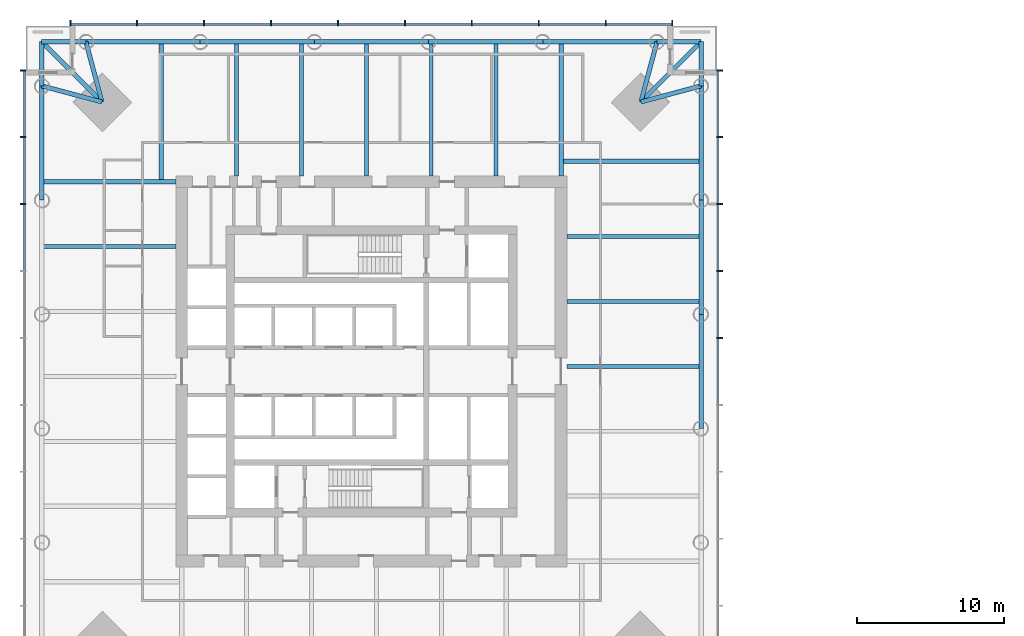
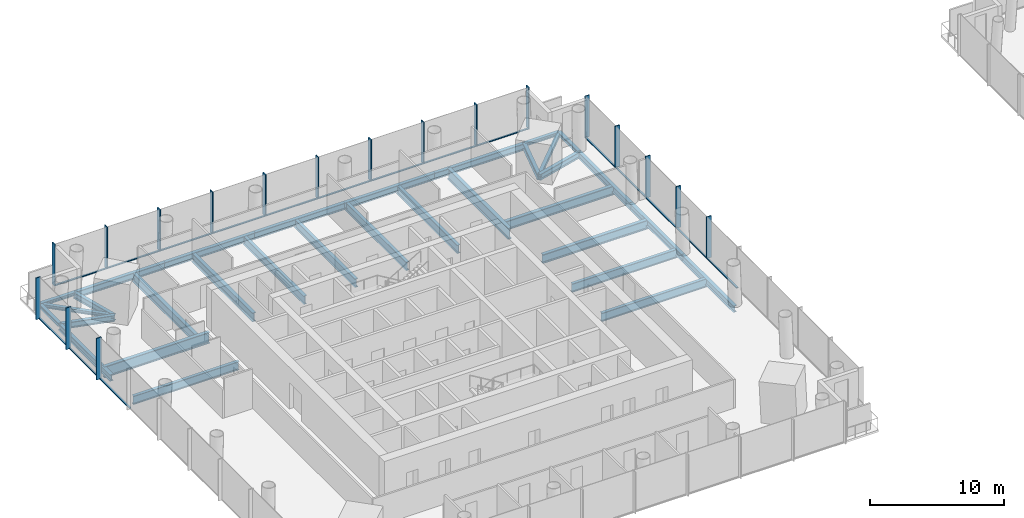
# One storey, part 3 of 18: 35 members, 32 beams, 3 elements without a shape of their own.
"""IFC4 building model written with IfcOpenShell, lengths in metres."""

from ifc_helpers import new_model, si_unit, direction, frame, origin, origin_2d, place, context, subcontext, project, spatial, rectangle, i_section, extrude, material, material_profile, profile_set, type_object, element, aggregate, save


model = new_model("IFC4")

# Units and contexts
model_context = context("Model", 3, precision=1e-05, world=origin(), true_north=direction((0.0, 1.0)))
body_context = subcontext(model_context, "Body", "Model", "MODEL_VIEW")
ifc_project = project(units=[si_unit("LENGTHUNIT", "METRE"), si_unit("AREAUNIT", "SQUARE_METRE"), si_unit("VOLUMEUNIT", "CUBIC_METRE"), si_unit("PLANEANGLEUNIT", "RADIAN"), si_unit("MASSUNIT", "GRAM", prefix="KILO")], contexts=[model_context])

# Site, building, storey
site_placement = place(None, origin())
site = spatial("IfcSite", under=ifc_project, at=site_placement, CompositionType="ELEMENT")
building_placement = place(site_placement, origin())
building = spatial("IfcBuilding", under=site, at=building_placement, Name="Ostroluk Exchange", CompositionType="ELEMENT")
storey_placement = place(building_placement, frame((0.0, 0.0, 70.39990234375)))
storey = spatial("IfcBuildingStorey", under=building, at=storey_placement, Name="L17", CompositionType="ELEMENT", Elevation=70.39990234375)

# Beams
ifc_material_1 = material(Name="Steel S355", Category="steel")
ifc_material_profile_1 = material_profile(ifc_material_1, i_section(OverallWidth=0.300048828125, OverallDepth=0.300048828125, WebThickness=0.010986328125, FlangeThickness=0.01904296875, FilletRadius=0.027099609375, at=origin_2d()), Name="HEB 300")
ifc_profile_set_1 = profile_set([ifc_material_profile_1], Name="Steel S355")
beam_type_1 = type_object("IfcBeamType", Name="Balcony beam HEB 300", PredefinedType="BEAM", material=ifc_profile_set_1)
for number, where, z_axis, x_axis, name in (
    (1, (67.42138671875, 65.42138671875, -0.329833984375), (0.0, 1.0, 0.0), (-1.0, 0.0, 0.0), "T1 east balcony beam a"),
    (2, (64.42138671875, 68.42138671875, -0.329833984375), (1.0, 0.0, 0.0), (0.0, 1.0, 0.0), "T1 east balcony beam b"),
):
    element("IfcBeam", number, at=place(storey_placement, frame(where, z_axis=z_axis, x_axis=x_axis)), inside=storey, type_object=beam_type_1, Name=name, PredefinedType="BEAM", context=body_context, shape_type="SweptSolid", body=[
        extrude(i_section(OverallWidth=0.300048828125, OverallDepth=0.300048828125, WebThickness=0.010986328125, FlangeThickness=0.01904296875, FilletRadius=0.027099609375, at=origin_2d()), origin(), (0.0, 0.0, 1.0), 3.0),
    ])
beam_1_placement = place(storey_placement, frame((63.321533203125, 64.321533203125, -0.329833984375), z_axis=(0.707106781187, 0.707106781187, 0.0), x_axis=(-0.707106781187, 0.707106781187, 0.0)))
element("IfcBeam", 3, at=beam_1_placement, inside=storey, type_object=beam_type_1, Name="T1 east balcony beam c", PredefinedType="BEAM", context=body_context, shape_type="SweptSolid", body=[
    extrude(i_section(OverallWidth=0.300048828125, OverallDepth=0.300048828125, WebThickness=0.010986328125, FlangeThickness=0.01904296875, FilletRadius=0.027099609375, at=origin_2d()), origin(), (0.0, 0.0, 1.0), 5.798095703125),
])
for number, where, z_axis, x_axis, name in (
    (4, (25.57861328125, 68.42138671875, -0.329833984375), (-1.0, 0.0, 0.0), (0.0, -1.0, 0.0), "T1 north balcony beam a"),
    (5, (22.57861328125, 65.42138671875, -0.329833984375), (0.0, 1.0, 0.0), (-1.0, 0.0, 0.0), "T1 north balcony beam b"),
):
    element("IfcBeam", number, at=place(storey_placement, frame(where, z_axis=z_axis, x_axis=x_axis)), inside=storey, type_object=beam_type_1, Name=name, PredefinedType="BEAM", context=body_context, shape_type="SweptSolid", body=[
        extrude(i_section(OverallWidth=0.300048828125, OverallDepth=0.300048828125, WebThickness=0.010986328125, FlangeThickness=0.01904296875, FilletRadius=0.027099609375, at=origin_2d()), origin(), (0.0, 0.0, 1.0), 3.0),
    ])
beam_2_placement = place(storey_placement, frame((26.678466796875, 64.321533203125, -0.329833984375), z_axis=(-0.707106781187, 0.707106781187, 0.0), x_axis=(-0.707106781187, -0.707106781187, 0.0)))
element("IfcBeam", 6, at=beam_2_placement, inside=storey, type_object=beam_type_1, Name="T1 north balcony beam c", PredefinedType="BEAM", context=body_context, shape_type="SweptSolid", body=[
    extrude(i_section(OverallWidth=0.300048828125, OverallDepth=0.300048828125, WebThickness=0.010986328125, FlangeThickness=0.01904296875, FilletRadius=0.027099609375, at=origin_2d()), origin(), (0.0, 0.0, 1.0), 5.798095703125),
])
ifc_material_2 = material(Name="Steel S355", Category="steel")
ifc_material_profile_2 = material_profile(ifc_material_2, i_section(OverallWidth=0.300048828125, OverallDepth=0.550048828125, WebThickness=0.014892578125, FlangeThickness=0.029052734375, FilletRadius=0.027099609375, at=origin_2d()), Name="HEB 550")
ifc_profile_set_2 = profile_set([ifc_material_profile_2], Name="Steel S355")
beam_type_2 = type_object("IfcBeamType", Name="Corner edge beam HEB 550", PredefinedType="SPANDREL", material=ifc_profile_set_2)
for number, where, z_axis, x_axis, name in (
    (7, (63.321533203125, 64.321533203125, -0.454833984375), (0.965849156574, 0.259105011038, 0.0), (-0.259105011038, 0.965849156574, 0.0), "T1 east corner edge beam a"),
    (8, (63.321533203125, 64.321533203125, -0.454833984375), (0.259105011038, 0.965849156574, 0.0), (-0.965849156574, 0.259105011038, 0.0), "T1 east corner edge beam b"),
    (9, (26.678466796875, 64.321533203125, -0.454833984375), (-0.259105011038, 0.965849156574, 0.0), (-0.965849156574, -0.259105011038, 0.0), "T1 north corner edge beam a"),
    (10, (26.678466796875, 64.321533203125, -0.454833984375), (-0.965849156574, 0.259105011038, 0.0), (-0.259105011038, -0.965849156574, 0.0), "T1 north corner edge beam b"),
):
    element("IfcBeam", number, at=place(storey_placement, frame(where, z_axis=z_axis, x_axis=x_axis)), inside=storey, type_object=beam_type_2, Name=name, PredefinedType="SPANDREL", context=body_context, shape_type="SweptSolid", body=[
        extrude(i_section(OverallWidth=0.300048828125, OverallDepth=0.550048828125, WebThickness=0.014892578125, FlangeThickness=0.029052734375, FilletRadius=0.027099609375, at=origin_2d()), origin(), (0.0, 0.0, 1.0), 4.244873046875),
    ])
ifc_material_3 = material(Name="Steel S355", Category="steel")
ifc_material_profile_3 = material_profile(ifc_material_3, i_section(OverallWidth=0.302978515625, OverallDepth=0.81396484375, WebThickness=0.02099609375, FlangeThickness=0.0400390625, FilletRadius=0.030029296875, at=origin_2d()), Name="HEM 800")
ifc_profile_set_3 = profile_set([ifc_material_profile_3], Name="Steel S355")
beam_type_3 = type_object("IfcBeamType", Name="Floor beam HEM 800", PredefinedType="BEAM", material=ifc_profile_set_3)
beam_3_placement = place(storey_placement, frame((58.300048828125, 55.17578125, -0.5869140625), z_axis=(1.0, 0.0, 0.0), x_axis=(0.0, 1.0, 0.0)))
element("IfcBeam", 11, at=beam_3_placement, inside=storey, type_object=beam_type_3, Name="T1 east floor beam 5", PredefinedType="BEAM", context=body_context, shape_type="SweptSolid", body=[
    extrude(i_section(OverallWidth=0.302978515625, OverallDepth=0.81396484375, WebThickness=0.02099609375, FlangeThickness=0.0400390625, FilletRadius=0.030029296875, at=origin_2d()), origin(), (0.0, 0.0, 1.0), 9.121337890625),
])
beam_4_placement = place(storey_placement, frame((57.89990234375, 60.300048828125, -0.5869140625), z_axis=(1.0, 0.0, 0.0), x_axis=(0.0, 1.0, 0.0)))
element("IfcBeam", 12, at=beam_4_placement, inside=storey, type_object=beam_type_3, Name="T1 east floor beam 6", PredefinedType="BEAM", context=body_context, shape_type="SweptSolid", body=[
    extrude(i_section(OverallWidth=0.302978515625, OverallDepth=0.81396484375, WebThickness=0.02099609375, FlangeThickness=0.0400390625, FilletRadius=0.030029296875, at=origin_2d()), origin(), (0.0, 0.0, 1.0), 9.521484375),
])
beam_5_placement = place(storey_placement, frame((35.82421875, 59.300048828125, -0.5869140625), z_axis=(0.0, 1.0, 0.0), x_axis=(-1.0, 0.0, 0.0)))
element("IfcBeam", 13, at=beam_5_placement, inside=storey, type_object=beam_type_3, Name="T1 north floor beam 5", PredefinedType="BEAM", context=body_context, shape_type="SweptSolid", body=[
    extrude(i_section(OverallWidth=0.302978515625, OverallDepth=0.81396484375, WebThickness=0.02099609375, FlangeThickness=0.0400390625, FilletRadius=0.030029296875, at=origin_2d()), origin(), (0.0, 0.0, 1.0), 9.121337890625),
])
beam_6_placement = place(storey_placement, frame((30.699951171875, 58.89990234375, -0.5869140625), z_axis=(0.0, 1.0, 0.0), x_axis=(-1.0, 0.0, 0.0)))
element("IfcBeam", 14, at=beam_6_placement, inside=storey, type_object=beam_type_3, Name="T1 north floor beam 6", PredefinedType="BEAM", context=body_context, shape_type="SweptSolid", body=[
    extrude(i_section(OverallWidth=0.302978515625, OverallDepth=0.81396484375, WebThickness=0.02099609375, FlangeThickness=0.0400390625, FilletRadius=0.030029296875, at=origin_2d()), origin(), (0.0, 0.0, 1.0), 9.521484375),
])
ifc_material_4 = material(Name="Steel S355", Category="steel")
ifc_material_profile_4 = material_profile(ifc_material_4, i_section(OverallWidth=0.26806640625, OverallDepth=0.77001953125, WebThickness=0.015625, FlangeThickness=0.025390625, FilletRadius=0.01708984375, at=origin_2d()), Name="IPE 750x196")
ifc_profile_set_4 = profile_set([ifc_material_profile_4], Name="Steel S355")
beam_type_4 = type_object("IfcBeamType", Name="Floor beam IPE 750x196", PredefinedType="BEAM", material=ifc_profile_set_4)
for number, where, z_axis, x_axis, name in (
    (15, (58.300048828125, 46.345458984375, -0.56494140625), (1.0, 0.0, 0.0), (0.0, 1.0, 0.0), "T1 east floor beam 3"),
    (16, (58.300048828125, 50.7607421875, -0.56494140625), (1.0, 0.0, 0.0), (0.0, 1.0, 0.0), "T1 east floor beam 4"),
    (17, (53.48486328125, 59.300048828125, -0.56494140625), (0.0, 1.0, 0.0), (-1.0, 0.0, 0.0), "T1 north floor beam 1"),
    (18, (49.069580078125, 59.300048828125, -0.56494140625), (0.0, 1.0, 0.0), (-1.0, 0.0, 0.0), "T1 north floor beam 2"),
    (19, (44.654541015625, 59.300048828125, -0.56494140625), (0.0, 1.0, 0.0), (-1.0, 0.0, 0.0), "T1 north floor beam 3"),
    (20, (40.2392578125, 59.300048828125, -0.56494140625), (0.0, 1.0, 0.0), (-1.0, 0.0, 0.0), "T1 north floor beam 4"),
    (21, (31.699951171875, 54.48486328125, -0.56494140625), (-1.0, 0.0, 0.0), (0.0, -1.0, 0.0), "T1 west floor beam 1"),
):
    element("IfcBeam", number, at=place(storey_placement, frame(where, z_axis=z_axis, x_axis=x_axis)), inside=storey, type_object=beam_type_4, Name=name, PredefinedType="BEAM", context=body_context, shape_type="SweptSolid", body=[
        extrude(i_section(OverallWidth=0.26806640625, OverallDepth=0.77001953125, WebThickness=0.015625, FlangeThickness=0.025390625, FilletRadius=0.01708984375, at=origin_2d()), origin(), (0.0, 0.0, 1.0), 9.121337890625),
    ])
ifc_material_5 = material(Name="Steel S355", Category="steel")
ifc_material_profile_5 = material_profile(ifc_material_5, i_section(OverallWidth=0.302001953125, OverallDepth=1.008056640625, WebThickness=0.02099609375, FlangeThickness=0.0400390625, FilletRadius=0.030029296875, at=origin_2d()), Name="HEM 1000")
ifc_profile_set_5 = profile_set([ifc_material_profile_5], Name="Steel S355")
beam_type_5 = type_object("IfcBeamType", Name="Girder HEM 1000", PredefinedType="BEAM", material=ifc_profile_set_5)
for number, where, z_axis, x_axis, name in (
    (22, (57.89990234375, 59.300048828125, -0.683837890625), (0.0, 1.0, 0.0), (-1.0, 0.0, 0.0), "T1 east girder"),
    (23, (31.699951171875, 58.89990234375, -0.683837890625), (-1.0, 0.0, 0.0), (0.0, -1.0, 0.0), "T1 north girder"),
):
    element("IfcBeam", number, at=place(storey_placement, frame(where, z_axis=z_axis, x_axis=x_axis)), inside=storey, type_object=beam_type_5, Name=name, PredefinedType="BEAM", context=body_context, shape_type="SweptSolid", body=[
        extrude(i_section(OverallWidth=0.302001953125, OverallDepth=1.008056640625, WebThickness=0.02099609375, FlangeThickness=0.0400390625, FilletRadius=0.030029296875, at=origin_2d()), origin(), (0.0, 0.0, 1.0), 9.121337890625),
    ])
ifc_material_6 = material(Name="Steel S355", Category="steel")
ifc_material_profile_6 = material_profile(ifc_material_6, i_section(OverallWidth=0.300048828125, OverallDepth=0.60009765625, WebThickness=0.015380859375, FlangeThickness=0.030029296875, FilletRadius=0.027099609375, at=origin_2d()), Name="HEB 600")
ifc_profile_set_6 = profile_set([ifc_material_profile_6], Name="Steel S355")
beam_type_6 = type_object("IfcBeamType", Name="Moment-connected edge beam HEB 600", PredefinedType="SPANDREL", material=ifc_profile_set_6)
for number, where, z_axis, x_axis, name in (
    (24, (67.42138671875, 42.11572265625, -0.47998046875), (0.0, 1.0, 0.0), (-1.0, 0.0, 0.0), "T1 east edge beam 3"),
    (25, (67.42138671875, 49.88427734375, -0.47998046875), (0.0, 1.0, 0.0), (-1.0, 0.0, 0.0), "T1 east edge beam 4"),
    (26, (67.42138671875, 57.65283203125, -0.47998046875), (0.0, 1.0, 0.0), (-1.0, 0.0, 0.0), "T1 east edge beam 5"),
    (27, (64.42138671875, 68.42138671875, -0.47998046875), (-1.0, 0.0, 0.0), (0.0, -1.0, 0.0), "T1 north edge beam 1"),
    (28, (56.65283203125, 68.42138671875, -0.47998046875), (-1.0, 0.0, 0.0), (0.0, -1.0, 0.0), "T1 north edge beam 2"),
    (29, (48.88427734375, 68.42138671875, -0.47998046875), (-1.0, 0.0, 0.0), (0.0, -1.0, 0.0), "T1 north edge beam 3"),
    (30, (41.11572265625, 68.42138671875, -0.47998046875), (-1.0, 0.0, 0.0), (0.0, -1.0, 0.0), "T1 north edge beam 4"),
    (31, (33.34716796875, 68.42138671875, -0.47998046875), (-1.0, 0.0, 0.0), (0.0, -1.0, 0.0), "T1 north edge beam 5"),
    (32, (22.57861328125, 65.42138671875, -0.47998046875), (0.0, -1.0, 0.0), (1.0, 0.0, 0.0), "T1 west edge beam 1"),
):
    element("IfcBeam", number, at=place(storey_placement, frame(where, z_axis=z_axis, x_axis=x_axis)), inside=storey, type_object=beam_type_6, Name=name, PredefinedType="SPANDREL", context=body_context, shape_type="SweptSolid", body=[
        extrude(i_section(OverallWidth=0.300048828125, OverallDepth=0.60009765625, WebThickness=0.015380859375, FlangeThickness=0.030029296875, FilletRadius=0.027099609375, at=origin_2d()), origin(), (0.0, 0.0, 1.0), 7.7685546875),
    ])

# Curtain wall, members
ifc_material_7 = material(Name="Laminated clear glass", Category="glass")
curtain_wall_type = type_object("IfcCurtainWallType", Name="Office tower facade", PredefinedType="USERDEFINED", material=ifc_material_7)
curtain_wall_1_placement = place(storey_placement, origin())
curtain_wall_1 = element("IfcCurtainWall", 33, at=curtain_wall_1_placement, inside=storey, type_object=curtain_wall_type, Name="Office tower east facade L17", ObjectType="UNITISED CURTAIN WALL", PredefinedType="USERDEFINED")
ifc_material_8 = material(Name="Aluminium mullion", Category="aluminium")
ifc_material_profile_7 = material_profile(ifc_material_8, rectangle(XDim=0.14990234375, YDim=0.080078125, at=origin_2d()), Name="Sill transom 80 x 150")
ifc_profile_set_7 = profile_set([ifc_material_profile_7], Name="Aluminium mullion")
member_type_1 = type_object("IfcMemberType", Name="Sill transom 80 x 150", PredefinedType="USERDEFINED", material=ifc_profile_set_7)
member_1_placement = place(storey_placement, frame((68.574951171875, 43.76220703125, 0.0400390625), z_axis=(0.0, 1.0, 0.0), x_axis=(-1.0, 0.0, 0.0)))
member_1 = element("IfcMember", 34, at=member_1_placement, type_object=member_type_1, Name="CW-O1 transom 5.1", ObjectType="TRANSOM", PredefinedType="USERDEFINED", context=body_context, shape_type="SweptSolid", body=[
    extrude(rectangle(XDim=0.14990234375, YDim=0.080078125, at=origin_2d()), origin(), (0.0, 0.0, 1.0), 4.4755859375),
])
member_2_placement = place(storey_placement, frame((68.574951171875, 48.31787109375, 0.0400390625), z_axis=(0.0, 1.0, 0.0), x_axis=(-1.0, 0.0, 0.0)))
member_2 = element("IfcMember", 35, at=member_2_placement, type_object=member_type_1, Name="CW-O1 transom 6.1", ObjectType="TRANSOM", PredefinedType="USERDEFINED", context=body_context, shape_type="SweptSolid", body=[
    extrude(rectangle(XDim=0.14990234375, YDim=0.080078125, at=origin_2d()), origin(), (0.0, 0.0, 1.0), 4.475341796875),
])
member_3_placement = place(storey_placement, frame((68.574951171875, 52.873291015625, 0.0400390625), z_axis=(0.0, 1.0, 0.0), x_axis=(-1.0, 0.0, 0.0)))
member_3 = element("IfcMember", 36, at=member_3_placement, type_object=member_type_1, Name="CW-O1 transom 7.1", ObjectType="TRANSOM", PredefinedType="USERDEFINED", context=body_context, shape_type="SweptSolid", body=[
    extrude(rectangle(XDim=0.14990234375, YDim=0.080078125, at=origin_2d()), origin(), (0.0, 0.0, 1.0), 4.4755859375),
])
member_4_placement = place(storey_placement, frame((68.574951171875, 57.428955078125, 0.0400390625), z_axis=(0.0, 1.0, 0.0), x_axis=(-1.0, 0.0, 0.0)))
member_4 = element("IfcMember", 37, at=member_4_placement, type_object=member_type_1, Name="CW-O1 transom 8.1", ObjectType="TRANSOM", PredefinedType="USERDEFINED", context=body_context, shape_type="SweptSolid", body=[
    extrude(rectangle(XDim=0.14990234375, YDim=0.080078125, at=origin_2d()), origin(), (0.0, 0.0, 1.0), 4.4755859375),
])
member_5_placement = place(storey_placement, frame((68.574951171875, 61.984375, 0.0400390625), z_axis=(0.0, 1.0, 0.0), x_axis=(-1.0, 0.0, 0.0)))
member_5 = element("IfcMember", 38, at=member_5_placement, type_object=member_type_1, Name="CW-O1 transom 9.1", ObjectType="TRANSOM", PredefinedType="USERDEFINED", context=body_context, shape_type="SweptSolid", body=[
    extrude(rectangle(XDim=0.14990234375, YDim=0.080078125, at=origin_2d()), origin(), (0.0, 0.0, 1.0), 4.435546875),
])

curtain_wall_2_placement = place(storey_placement, origin())
curtain_wall_2 = element("IfcCurtainWall", 39, at=curtain_wall_2_placement, inside=storey, type_object=curtain_wall_type, Name="Office tower north facade L17", ObjectType="UNITISED CURTAIN WALL", PredefinedType="USERDEFINED")
member_6_placement = place(storey_placement, frame((65.419921875, 69.574951171875, 0.0400390625), z_axis=(-1.0, 0.0, 0.0), x_axis=(0.0, -1.0, 0.0)))
member_6 = element("IfcMember", 40, at=member_6_placement, type_object=member_type_1, Name="CW-O1 transom 1.1", ObjectType="TRANSOM", PredefinedType="USERDEFINED", context=body_context, shape_type="SweptSolid", body=[
    extrude(rectangle(XDim=0.14990234375, YDim=0.080078125, at=origin_2d()), origin(), (0.0, 0.0, 1.0), 4.435546875),
])
member_7_placement = place(storey_placement, frame((60.904541015625, 69.574951171875, 0.0400390625), z_axis=(-1.0, 0.0, 0.0), x_axis=(0.0, -1.0, 0.0)))
member_7 = element("IfcMember", 41, at=member_7_placement, type_object=member_type_1, Name="CW-O1 transom 2.1", ObjectType="TRANSOM", PredefinedType="USERDEFINED", context=body_context, shape_type="SweptSolid", body=[
    extrude(rectangle(XDim=0.14990234375, YDim=0.080078125, at=origin_2d()), origin(), (0.0, 0.0, 1.0), 4.4755859375),
])
member_8_placement = place(storey_placement, frame((56.348876953125, 69.574951171875, 0.0400390625), z_axis=(-1.0, 0.0, 0.0), x_axis=(0.0, -1.0, 0.0)))
member_8 = element("IfcMember", 42, at=member_8_placement, type_object=member_type_1, Name="CW-O1 transom 3.1", ObjectType="TRANSOM", PredefinedType="USERDEFINED", context=body_context, shape_type="SweptSolid", body=[
    extrude(rectangle(XDim=0.14990234375, YDim=0.080078125, at=origin_2d()), origin(), (0.0, 0.0, 1.0), 4.4755859375),
])
member_9_placement = place(storey_placement, frame((51.793212890625, 69.574951171875, 0.0400390625), z_axis=(-1.0, 0.0, 0.0), x_axis=(0.0, -1.0, 0.0)))
member_9 = element("IfcMember", 43, at=member_9_placement, type_object=member_type_1, Name="CW-O1 transom 4.1", ObjectType="TRANSOM", PredefinedType="USERDEFINED", context=body_context, shape_type="SweptSolid", body=[
    extrude(rectangle(XDim=0.14990234375, YDim=0.080078125, at=origin_2d()), origin(), (0.0, 0.0, 1.0), 4.475341796875),
])
member_10_placement = place(storey_placement, frame((47.23779296875, 69.574951171875, 0.0400390625), z_axis=(-1.0, 0.0, 0.0), x_axis=(0.0, -1.0, 0.0)))
member_10 = element("IfcMember", 44, at=member_10_placement, type_object=member_type_1, Name="CW-O1 transom 5.1", ObjectType="TRANSOM", PredefinedType="USERDEFINED", context=body_context, shape_type="SweptSolid", body=[
    extrude(rectangle(XDim=0.14990234375, YDim=0.080078125, at=origin_2d()), origin(), (0.0, 0.0, 1.0), 4.4755859375),
])
member_11_placement = place(storey_placement, frame((42.68212890625, 69.574951171875, 0.0400390625), z_axis=(-1.0, 0.0, 0.0), x_axis=(0.0, -1.0, 0.0)))
member_11 = element("IfcMember", 45, at=member_11_placement, type_object=member_type_1, Name="CW-O1 transom 6.1", ObjectType="TRANSOM", PredefinedType="USERDEFINED", context=body_context, shape_type="SweptSolid", body=[
    extrude(rectangle(XDim=0.14990234375, YDim=0.080078125, at=origin_2d()), origin(), (0.0, 0.0, 1.0), 4.475341796875),
])
member_12_placement = place(storey_placement, frame((38.126708984375, 69.574951171875, 0.0400390625), z_axis=(-1.0, 0.0, 0.0), x_axis=(0.0, -1.0, 0.0)))
member_12 = element("IfcMember", 46, at=member_12_placement, type_object=member_type_1, Name="CW-O1 transom 7.1", ObjectType="TRANSOM", PredefinedType="USERDEFINED", context=body_context, shape_type="SweptSolid", body=[
    extrude(rectangle(XDim=0.14990234375, YDim=0.080078125, at=origin_2d()), origin(), (0.0, 0.0, 1.0), 4.4755859375),
])
member_13_placement = place(storey_placement, frame((33.571044921875, 69.574951171875, 0.0400390625), z_axis=(-1.0, 0.0, 0.0), x_axis=(0.0, -1.0, 0.0)))
member_13 = element("IfcMember", 47, at=member_13_placement, type_object=member_type_1, Name="CW-O1 transom 8.1", ObjectType="TRANSOM", PredefinedType="USERDEFINED", context=body_context, shape_type="SweptSolid", body=[
    extrude(rectangle(XDim=0.14990234375, YDim=0.080078125, at=origin_2d()), origin(), (0.0, 0.0, 1.0), 4.4755859375),
])
member_14_placement = place(storey_placement, frame((29.015625, 69.574951171875, 0.0400390625), z_axis=(-1.0, 0.0, 0.0), x_axis=(0.0, -1.0, 0.0)))
member_14 = element("IfcMember", 48, at=member_14_placement, type_object=member_type_1, Name="CW-O1 transom 9.1", ObjectType="TRANSOM", PredefinedType="USERDEFINED", context=body_context, shape_type="SweptSolid", body=[
    extrude(rectangle(XDim=0.14990234375, YDim=0.080078125, at=origin_2d()), origin(), (0.0, 0.0, 1.0), 4.435546875),
])

curtain_wall_3_placement = place(storey_placement, origin())
curtain_wall_3 = element("IfcCurtainWall", 49, at=curtain_wall_3_placement, inside=storey, type_object=curtain_wall_type, Name="Office tower west facade L17", ObjectType="UNITISED CURTAIN WALL", PredefinedType="USERDEFINED")
member_15_placement = place(storey_placement, frame((21.425048828125, 66.419921875, 0.0400390625), z_axis=(0.0, -1.0, 0.0), x_axis=(1.0, 0.0, 0.0)))
member_15 = element("IfcMember", 50, at=member_15_placement, type_object=member_type_1, Name="CW-O1 transom 1.1", ObjectType="TRANSOM", PredefinedType="USERDEFINED", context=body_context, shape_type="SweptSolid", body=[
    extrude(rectangle(XDim=0.14990234375, YDim=0.080078125, at=origin_2d()), origin(), (0.0, 0.0, 1.0), 4.435546875),
])
member_16_placement = place(storey_placement, frame((21.425048828125, 61.904541015625, 0.0400390625), z_axis=(0.0, -1.0, 0.0), x_axis=(1.0, 0.0, 0.0)))
member_16 = element("IfcMember", 51, at=member_16_placement, type_object=member_type_1, Name="CW-O1 transom 2.1", ObjectType="TRANSOM", PredefinedType="USERDEFINED", context=body_context, shape_type="SweptSolid", body=[
    extrude(rectangle(XDim=0.14990234375, YDim=0.080078125, at=origin_2d()), origin(), (0.0, 0.0, 1.0), 4.4755859375),
])
member_17_placement = place(storey_placement, frame((21.425048828125, 57.348876953125, 0.0400390625), z_axis=(0.0, -1.0, 0.0), x_axis=(1.0, 0.0, 0.0)))
member_17 = element("IfcMember", 52, at=member_17_placement, type_object=member_type_1, Name="CW-O1 transom 3.1", ObjectType="TRANSOM", PredefinedType="USERDEFINED", context=body_context, shape_type="SweptSolid", body=[
    extrude(rectangle(XDim=0.14990234375, YDim=0.080078125, at=origin_2d()), origin(), (0.0, 0.0, 1.0), 4.4755859375),
])

# Member
ifc_material_9 = material(Name="Aluminium mullion with limestone facing", Category="masonry")
ifc_material_profile_8 = material_profile(ifc_material_9, rectangle(XDim=0.39990234375, YDim=0.080078125, at=origin_2d()), Name="Tracery mullion 80 x 400")
ifc_profile_set_8 = profile_set([ifc_material_profile_8], Name="Aluminium mullion with limestone facing")
member_type_2 = type_object("IfcMemberType", Name="Tracery mullion 80 x 400", PredefinedType="MULLION", material=ifc_profile_set_8)
member_18_placement = place(storey_placement, frame((68.699951171875, 48.27783203125, 0.0), z_axis=(0.0, 0.0, 1.0), x_axis=(-1.0, 0.0, 0.0)))
member_18 = element("IfcMember", 53, at=member_18_placement, type_object=member_type_2, Name="CW-O1 mullion 6", PredefinedType="MULLION", context=body_context, shape_type="SweptSolid", body=[
    extrude(rectangle(XDim=0.39990234375, YDim=0.080078125, at=origin_2d()), origin(), (0.0, 0.0, 1.0), 3.800048828125),
])

member_19_placement = place(storey_placement, frame((68.699951171875, 52.833251953125, 0.0), z_axis=(0.0, 0.0, 1.0), x_axis=(-1.0, 0.0, 0.0)))
member_19 = element("IfcMember", 54, at=member_19_placement, type_object=member_type_2, Name="CW-O1 mullion 7", PredefinedType="MULLION", context=body_context, shape_type="SweptSolid", body=[
    extrude(rectangle(XDim=0.39990234375, YDim=0.080078125, at=origin_2d()), origin(), (0.0, 0.0, 1.0), 3.800048828125),
])

member_20_placement = place(storey_placement, frame((68.699951171875, 57.388916015625, 0.0), z_axis=(0.0, 0.0, 1.0), x_axis=(-1.0, 0.0, 0.0)))
member_20 = element("IfcMember", 55, at=member_20_placement, type_object=member_type_2, Name="CW-O1 mullion 8", PredefinedType="MULLION", context=body_context, shape_type="SweptSolid", body=[
    extrude(rectangle(XDim=0.39990234375, YDim=0.080078125, at=origin_2d()), origin(), (0.0, 0.0, 1.0), 3.800048828125),
])

member_21_placement = place(storey_placement, frame((68.699951171875, 61.9443359375, 0.0), z_axis=(0.0, 0.0, 1.0), x_axis=(-1.0, 0.0, 0.0)))
member_21 = element("IfcMember", 56, at=member_21_placement, type_object=member_type_2, Name="CW-O1 mullion 9", PredefinedType="MULLION", context=body_context, shape_type="SweptSolid", body=[
    extrude(rectangle(XDim=0.39990234375, YDim=0.080078125, at=origin_2d()), origin(), (0.0, 0.0, 1.0), 3.800048828125),
])

member_22_placement = place(storey_placement, frame((68.699951171875, 66.4599609375, 0.0), z_axis=(0.0, 0.0, 1.0), x_axis=(-1.0, 0.0, 0.0)))
member_22 = element("IfcMember", 57, at=member_22_placement, type_object=member_type_2, Name="CW-O1 mullion 10", PredefinedType="MULLION", context=body_context, shape_type="SweptSolid", body=[
    extrude(rectangle(XDim=0.39990234375, YDim=0.080078125, at=origin_2d()), origin(), (0.0, 0.0, 1.0), 3.800048828125),
])

aggregate(curtain_wall_1, [member_18, member_19, member_20, member_21, member_22, member_1, member_2, member_3, member_4, member_5])

member_23_placement = place(storey_placement, frame((65.4599609375, 69.699951171875, 0.0), z_axis=(0.0, 0.0, 1.0), x_axis=(0.0, -1.0, 0.0)))
member_23 = element("IfcMember", 58, at=member_23_placement, type_object=member_type_2, Name="CW-O1 mullion 1", PredefinedType="MULLION", context=body_context, shape_type="SweptSolid", body=[
    extrude(rectangle(XDim=0.39990234375, YDim=0.080078125, at=origin_2d()), origin(), (0.0, 0.0, 1.0), 3.800048828125),
])

member_24_placement = place(storey_placement, frame((60.9443359375, 69.699951171875, 0.0), z_axis=(0.0, 0.0, 1.0), x_axis=(0.0, -1.0, 0.0)))
member_24 = element("IfcMember", 59, at=member_24_placement, type_object=member_type_2, Name="CW-O1 mullion 2", PredefinedType="MULLION", context=body_context, shape_type="SweptSolid", body=[
    extrude(rectangle(XDim=0.39990234375, YDim=0.080078125, at=origin_2d()), origin(), (0.0, 0.0, 1.0), 3.800048828125),
])

member_25_placement = place(storey_placement, frame((56.388916015625, 69.699951171875, 0.0), z_axis=(0.0, 0.0, 1.0), x_axis=(0.0, -1.0, 0.0)))
member_25 = element("IfcMember", 60, at=member_25_placement, type_object=member_type_2, Name="CW-O1 mullion 3", PredefinedType="MULLION", context=body_context, shape_type="SweptSolid", body=[
    extrude(rectangle(XDim=0.39990234375, YDim=0.080078125, at=origin_2d()), origin(), (0.0, 0.0, 1.0), 3.800048828125),
])

member_26_placement = place(storey_placement, frame((51.833251953125, 69.699951171875, 0.0), z_axis=(0.0, 0.0, 1.0), x_axis=(0.0, -1.0, 0.0)))
member_26 = element("IfcMember", 61, at=member_26_placement, type_object=member_type_2, Name="CW-O1 mullion 4", PredefinedType="MULLION", context=body_context, shape_type="SweptSolid", body=[
    extrude(rectangle(XDim=0.39990234375, YDim=0.080078125, at=origin_2d()), origin(), (0.0, 0.0, 1.0), 3.800048828125),
])

member_27_placement = place(storey_placement, frame((47.27783203125, 69.699951171875, 0.0), z_axis=(0.0, 0.0, 1.0), x_axis=(0.0, -1.0, 0.0)))
member_27 = element("IfcMember", 62, at=member_27_placement, type_object=member_type_2, Name="CW-O1 mullion 5", PredefinedType="MULLION", context=body_context, shape_type="SweptSolid", body=[
    extrude(rectangle(XDim=0.39990234375, YDim=0.080078125, at=origin_2d()), origin(), (0.0, 0.0, 1.0), 3.800048828125),
])

member_28_placement = place(storey_placement, frame((42.72216796875, 69.699951171875, 0.0), z_axis=(0.0, 0.0, 1.0), x_axis=(0.0, -1.0, 0.0)))
member_28 = element("IfcMember", 63, at=member_28_placement, type_object=member_type_2, Name="CW-O1 mullion 6", PredefinedType="MULLION", context=body_context, shape_type="SweptSolid", body=[
    extrude(rectangle(XDim=0.39990234375, YDim=0.080078125, at=origin_2d()), origin(), (0.0, 0.0, 1.0), 3.800048828125),
])

member_29_placement = place(storey_placement, frame((38.166748046875, 69.699951171875, 0.0), z_axis=(0.0, 0.0, 1.0), x_axis=(0.0, -1.0, 0.0)))
member_29 = element("IfcMember", 64, at=member_29_placement, type_object=member_type_2, Name="CW-O1 mullion 7", PredefinedType="MULLION", context=body_context, shape_type="SweptSolid", body=[
    extrude(rectangle(XDim=0.39990234375, YDim=0.080078125, at=origin_2d()), origin(), (0.0, 0.0, 1.0), 3.800048828125),
])

member_30_placement = place(storey_placement, frame((33.611083984375, 69.699951171875, 0.0), z_axis=(0.0, 0.0, 1.0), x_axis=(0.0, -1.0, 0.0)))
member_30 = element("IfcMember", 65, at=member_30_placement, type_object=member_type_2, Name="CW-O1 mullion 8", PredefinedType="MULLION", context=body_context, shape_type="SweptSolid", body=[
    extrude(rectangle(XDim=0.39990234375, YDim=0.080078125, at=origin_2d()), origin(), (0.0, 0.0, 1.0), 3.800048828125),
])

member_31_placement = place(storey_placement, frame((29.0556640625, 69.699951171875, 0.0), z_axis=(0.0, 0.0, 1.0), x_axis=(0.0, -1.0, 0.0)))
member_31 = element("IfcMember", 66, at=member_31_placement, type_object=member_type_2, Name="CW-O1 mullion 9", PredefinedType="MULLION", context=body_context, shape_type="SweptSolid", body=[
    extrude(rectangle(XDim=0.39990234375, YDim=0.080078125, at=origin_2d()), origin(), (0.0, 0.0, 1.0), 3.800048828125),
])

member_32_placement = place(storey_placement, frame((24.5400390625, 69.699951171875, 0.0), z_axis=(0.0, 0.0, 1.0), x_axis=(0.0, -1.0, 0.0)))
member_32 = element("IfcMember", 67, at=member_32_placement, type_object=member_type_2, Name="CW-O1 mullion 10", PredefinedType="MULLION", context=body_context, shape_type="SweptSolid", body=[
    extrude(rectangle(XDim=0.39990234375, YDim=0.080078125, at=origin_2d()), origin(), (0.0, 0.0, 1.0), 3.800048828125),
])

aggregate(curtain_wall_2, [member_23, member_24, member_25, member_26, member_27, member_28, member_29, member_30, member_31, member_32, member_6, member_7, member_8, member_9, member_10, member_11, member_12, member_13, member_14])

member_33_placement = place(storey_placement, frame((21.300048828125, 66.4599609375, 0.0), z_axis=(0.0, 0.0, 1.0), x_axis=(1.0, 0.0, 0.0)))
member_33 = element("IfcMember", 68, at=member_33_placement, type_object=member_type_2, Name="CW-O1 mullion 1", PredefinedType="MULLION", context=body_context, shape_type="SweptSolid", body=[
    extrude(rectangle(XDim=0.39990234375, YDim=0.080078125, at=origin_2d()), origin(), (0.0, 0.0, 1.0), 3.800048828125),
])

member_34_placement = place(storey_placement, frame((21.300048828125, 61.9443359375, 0.0), z_axis=(0.0, 0.0, 1.0), x_axis=(1.0, 0.0, 0.0)))
member_34 = element("IfcMember", 69, at=member_34_placement, type_object=member_type_2, Name="CW-O1 mullion 2", PredefinedType="MULLION", context=body_context, shape_type="SweptSolid", body=[
    extrude(rectangle(XDim=0.39990234375, YDim=0.080078125, at=origin_2d()), origin(), (0.0, 0.0, 1.0), 3.800048828125),
])

member_35_placement = place(storey_placement, frame((21.300048828125, 57.388916015625, 0.0), z_axis=(0.0, 0.0, 1.0), x_axis=(1.0, 0.0, 0.0)))
member_35 = element("IfcMember", 70, at=member_35_placement, type_object=member_type_2, Name="CW-O1 mullion 3", PredefinedType="MULLION", context=body_context, shape_type="SweptSolid", body=[
    extrude(rectangle(XDim=0.39990234375, YDim=0.080078125, at=origin_2d()), origin(), (0.0, 0.0, 1.0), 3.800048828125),
])

aggregate(curtain_wall_3, [member_33, member_34, member_35, member_15, member_16, member_17])

save(model, "model.ifc")
